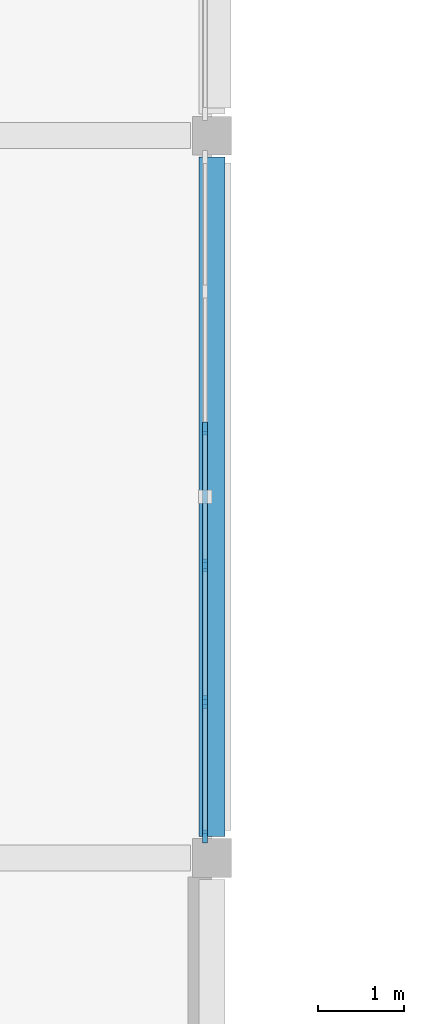
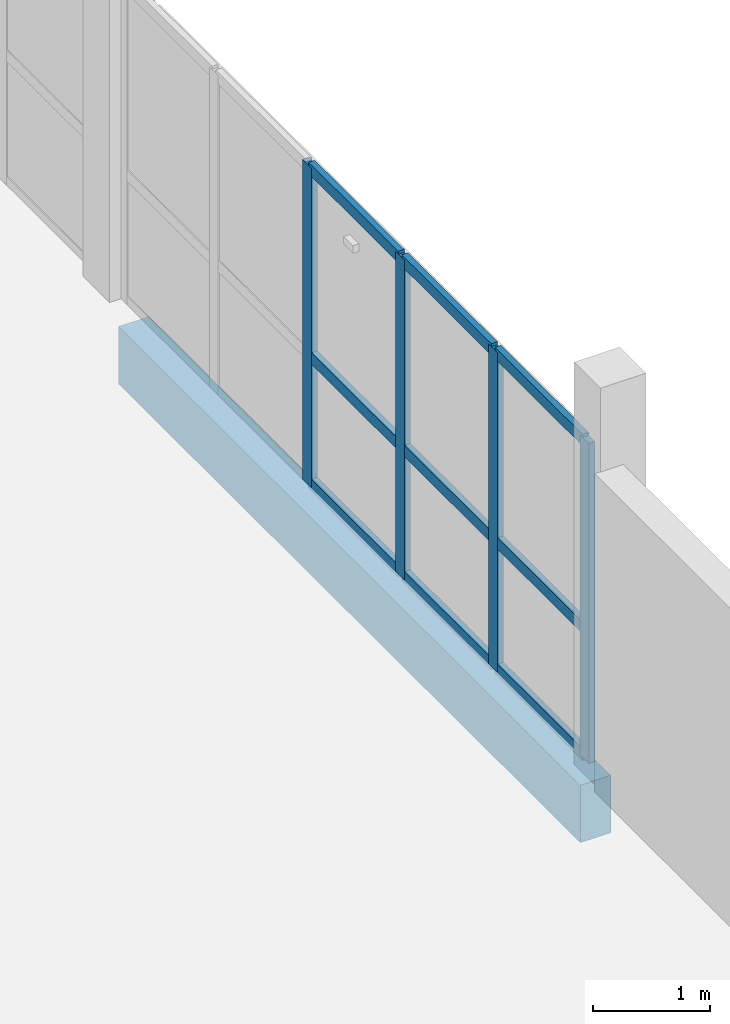
# One storey, part 6 of 74: 13 members, 1 beam, 1 element without a shape of its own.
"""IFC4 building model written with IfcOpenShell, lengths in metres."""

from ifc_helpers import new_model, si_unit, direction, frame, origin, origin_2d, place, context, subcontext, project, spatial, rectangle, extrude, material, material_profile, profile_set, type_object, element, aggregate, save


model = new_model("IFC4")

# Units and contexts
model_context = context("Model", 3, precision=1e-05, world=origin(), true_north=direction((0.0, 1.0)))
body_context = subcontext(model_context, "Body", "Model", "MODEL_VIEW")
ifc_project = project(units=[si_unit("LENGTHUNIT", "METRE"), si_unit("AREAUNIT", "SQUARE_METRE"), si_unit("VOLUMEUNIT", "CUBIC_METRE"), si_unit("PLANEANGLEUNIT", "RADIAN"), si_unit("MASSUNIT", "GRAM", prefix="KILO")], contexts=[model_context])

# Site, building, storey
site_placement = place(None, origin())
site = spatial("IfcSite", under=ifc_project, at=site_placement, CompositionType="ELEMENT")
building_placement = place(site_placement, origin())
building = spatial("IfcBuilding", under=site, at=building_placement, Name="Qaldarim Faculty of Natural and Applied Sciences", CompositionType="ELEMENT")
storey_placement = place(building_placement, frame((0.0, 0.0, 14.39990234375)))
storey = spatial("IfcBuildingStorey", under=building, at=storey_placement, Name="L03", CompositionType="ELEMENT", Elevation=14.39990234375)

# Curtain wall, members
ifc_material_1 = material(Name="Anodised aluminium AW-6063", Category="aluminium")
curtain_wall_type = type_object("IfcCurtainWallType", Name="CurtainWallSystem-M1500", PredefinedType="USERDEFINED", material=ifc_material_1)
curtain_wall_placement = place(storey_placement, origin())
curtain_wall = element("IfcCurtainWall", 1, at=curtain_wall_placement, inside=storey, type_object=curtain_wall_type, Name="Curtain wall CW-L03-E-X07Y08", ObjectType="STICK CURTAIN WALL", PredefinedType="USERDEFINED")
ifc_material_profile_1 = material_profile(ifc_material_1, rectangle(XDim=0.06005859375, YDim=0.14990234375, at=origin_2d()), Name="ALU-M60x150")
ifc_profile_set_1 = profile_set([ifc_material_profile_1], Name="Anodised aluminium AW-6063")
member_type_1 = type_object("IfcMemberType", Name="Mullion-ALU60x150", PredefinedType="MULLION", material=ifc_profile_set_1)
member_1_placement = place(storey_placement, frame((46.1201171875, 59.050048828125, 0.0), z_axis=(0.0, 0.0, 1.0), x_axis=(-1.0, 0.0, 0.0)))
member_1 = element("IfcMember", 2, at=member_1_placement, type_object=member_type_1, Name="Mullion 1 of CW-L03-E-X07Y08", PredefinedType="MULLION", context=body_context, shape_type="SweptSolid", body=[
    extrude(rectangle(XDim=0.06005859375, YDim=0.14990234375, at=origin_2d()), origin(), (0.0, 0.0, 1.0), 3.340087890625),
])
member_2_placement = place(storey_placement, frame((46.1201171875, 60.612060546875, 0.0), z_axis=(0.0, 0.0, 1.0), x_axis=(-1.0, 0.0, 0.0)))
member_2 = element("IfcMember", 3, at=member_2_placement, type_object=member_type_1, Name="Mullion 2 of CW-L03-E-X07Y08", PredefinedType="MULLION", context=body_context, shape_type="SweptSolid", body=[
    extrude(rectangle(XDim=0.06005859375, YDim=0.14990234375, at=origin_2d()), origin(), (0.0, 0.0, 1.0), 3.340087890625),
])
member_3_placement = place(storey_placement, frame((46.1201171875, 62.2041015625, 0.0), z_axis=(0.0, 0.0, 1.0), x_axis=(-1.0, 0.0, 0.0)))
member_3 = element("IfcMember", 4, at=member_3_placement, type_object=member_type_1, Name="Mullion 3 of CW-L03-E-X07Y08", PredefinedType="MULLION", context=body_context, shape_type="SweptSolid", body=[
    extrude(rectangle(XDim=0.06005859375, YDim=0.14990234375, at=origin_2d()), origin(), (0.0, 0.0, 1.0), 3.340087890625),
])
member_4_placement = place(storey_placement, frame((46.1201171875, 63.7958984375, 0.0), z_axis=(0.0, 0.0, 1.0), x_axis=(-1.0, 0.0, 0.0)))
member_4 = element("IfcMember", 5, at=member_4_placement, type_object=member_type_1, Name="Mullion 4 of CW-L03-E-X07Y08", PredefinedType="MULLION", context=body_context, shape_type="SweptSolid", body=[
    extrude(rectangle(XDim=0.06005859375, YDim=0.14990234375, at=origin_2d()), origin(), (0.0, 0.0, 1.0), 3.340087890625),
])

# Beam
ifc_material_2 = material(Name="Precast concrete C40/50", Category="concrete")
ifc_material_profile_2 = material_profile(ifc_material_2, rectangle(XDim=0.300048828125, YDim=0.60009765625, at=origin_2d()), Name="RC-SP300x600")
ifc_profile_set_2 = profile_set([ifc_material_profile_2], Name="Precast concrete C40/50")
beam_type = type_object("IfcBeamType", Name="SpandrelBeam-RC300x600", PredefinedType="SPANDREL", material=ifc_profile_set_2)
beam_placement = place(storey_placement, frame((46.199951171875, 59.050048828125, -0.559814453125), z_axis=(0.0, 1.0, 0.0), x_axis=(-1.0, 0.0, 0.0)))
element("IfcBeam", 6, at=beam_placement, inside=storey, type_object=beam_type, Name="Beam RC-SP300x600 L02 X08/Y08-Y09", PredefinedType="SPANDREL", context=body_context, shape_type="SweptSolid", body=[
    extrude(rectangle(XDim=0.300048828125, YDim=0.60009765625, at=origin_2d()), origin(), (0.0, 0.0, 1.0), 7.89990234375),
])

# Member
ifc_material_profile_3 = material_profile(ifc_material_1, rectangle(XDim=0.06005859375, YDim=0.1201171875, at=origin_2d()), Name="ALU-T60x120")
ifc_profile_set_3 = profile_set([ifc_material_profile_3], Name="Anodised aluminium AW-6063")
member_type_2 = type_object("IfcMemberType", Name="Transom-ALU60x120", PredefinedType="USERDEFINED", material=ifc_profile_set_3)
member_5_placement = place(storey_placement, frame((46.1201171875, 59.080078125, 0.030029296875), z_axis=(0.0, 1.0, 0.0), x_axis=(-1.0, 0.0, 0.0)))
member_5 = element("IfcMember", 7, at=member_5_placement, type_object=member_type_2, Name="Transom 1-1 of CW-L03-E-X07Y08", ObjectType="TRANSOM", PredefinedType="USERDEFINED", context=body_context, shape_type="SweptSolid", body=[
    extrude(rectangle(XDim=0.06005859375, YDim=0.1201171875, at=origin_2d()), origin(), (0.0, 0.0, 1.0), 1.501953125),
])

member_6_placement = place(storey_placement, frame((46.1201171875, 59.080078125, 1.35009765625), z_axis=(0.0, 1.0, 0.0), x_axis=(-1.0, 0.0, 0.0)))
member_6 = element("IfcMember", 8, at=member_6_placement, type_object=member_type_2, Name="Transom 1-2 of CW-L03-E-X07Y08", ObjectType="TRANSOM", PredefinedType="USERDEFINED", context=body_context, shape_type="SweptSolid", body=[
    extrude(rectangle(XDim=0.06005859375, YDim=0.1201171875, at=origin_2d()), origin(), (0.0, 0.0, 1.0), 1.501953125),
])

member_7_placement = place(storey_placement, frame((46.1201171875, 59.080078125, 3.31005859375), z_axis=(0.0, 1.0, 0.0), x_axis=(-1.0, 0.0, 0.0)))
member_7 = element("IfcMember", 9, at=member_7_placement, type_object=member_type_2, Name="Transom 1-3 of CW-L03-E-X07Y08", ObjectType="TRANSOM", PredefinedType="USERDEFINED", context=body_context, shape_type="SweptSolid", body=[
    extrude(rectangle(XDim=0.06005859375, YDim=0.1201171875, at=origin_2d()), origin(), (0.0, 0.0, 1.0), 1.501953125),
])

member_8_placement = place(storey_placement, frame((46.1201171875, 60.64208984375, 0.030029296875), z_axis=(0.0, 1.0, 0.0), x_axis=(-1.0, 0.0, 0.0)))
member_8 = element("IfcMember", 10, at=member_8_placement, type_object=member_type_2, Name="Transom 2-1 of CW-L03-E-X07Y08", ObjectType="TRANSOM", PredefinedType="USERDEFINED", context=body_context, shape_type="SweptSolid", body=[
    extrude(rectangle(XDim=0.06005859375, YDim=0.1201171875, at=origin_2d()), origin(), (0.0, 0.0, 1.0), 1.531982421875),
])

member_9_placement = place(storey_placement, frame((46.1201171875, 60.64208984375, 1.35009765625), z_axis=(0.0, 1.0, 0.0), x_axis=(-1.0, 0.0, 0.0)))
member_9 = element("IfcMember", 11, at=member_9_placement, type_object=member_type_2, Name="Transom 2-2 of CW-L03-E-X07Y08", ObjectType="TRANSOM", PredefinedType="USERDEFINED", context=body_context, shape_type="SweptSolid", body=[
    extrude(rectangle(XDim=0.06005859375, YDim=0.1201171875, at=origin_2d()), origin(), (0.0, 0.0, 1.0), 1.531982421875),
])

member_10_placement = place(storey_placement, frame((46.1201171875, 60.64208984375, 3.31005859375), z_axis=(0.0, 1.0, 0.0), x_axis=(-1.0, 0.0, 0.0)))
member_10 = element("IfcMember", 12, at=member_10_placement, type_object=member_type_2, Name="Transom 2-3 of CW-L03-E-X07Y08", ObjectType="TRANSOM", PredefinedType="USERDEFINED", context=body_context, shape_type="SweptSolid", body=[
    extrude(rectangle(XDim=0.06005859375, YDim=0.1201171875, at=origin_2d()), origin(), (0.0, 0.0, 1.0), 1.531982421875),
])

member_11_placement = place(storey_placement, frame((46.1201171875, 62.23388671875, 0.030029296875), z_axis=(0.0, 1.0, 0.0), x_axis=(-1.0, 0.0, 0.0)))
member_11 = element("IfcMember", 13, at=member_11_placement, type_object=member_type_2, Name="Transom 3-1 of CW-L03-E-X07Y08", ObjectType="TRANSOM", PredefinedType="USERDEFINED", context=body_context, shape_type="SweptSolid", body=[
    extrude(rectangle(XDim=0.06005859375, YDim=0.1201171875, at=origin_2d()), origin(), (0.0, 0.0, 1.0), 1.5322265625),
])

member_12_placement = place(storey_placement, frame((46.1201171875, 62.23388671875, 1.35009765625), z_axis=(0.0, 1.0, 0.0), x_axis=(-1.0, 0.0, 0.0)))
member_12 = element("IfcMember", 14, at=member_12_placement, type_object=member_type_2, Name="Transom 3-2 of CW-L03-E-X07Y08", ObjectType="TRANSOM", PredefinedType="USERDEFINED", context=body_context, shape_type="SweptSolid", body=[
    extrude(rectangle(XDim=0.06005859375, YDim=0.1201171875, at=origin_2d()), origin(), (0.0, 0.0, 1.0), 1.5322265625),
])

member_13_placement = place(storey_placement, frame((46.1201171875, 62.23388671875, 3.31005859375), z_axis=(0.0, 1.0, 0.0), x_axis=(-1.0, 0.0, 0.0)))
member_13 = element("IfcMember", 15, at=member_13_placement, type_object=member_type_2, Name="Transom 3-3 of CW-L03-E-X07Y08", ObjectType="TRANSOM", PredefinedType="USERDEFINED", context=body_context, shape_type="SweptSolid", body=[
    extrude(rectangle(XDim=0.06005859375, YDim=0.1201171875, at=origin_2d()), origin(), (0.0, 0.0, 1.0), 1.5322265625),
])

aggregate(curtain_wall, [member_1, member_2, member_3, member_4, member_5, member_6, member_7, member_8, member_9, member_10, member_11, member_12, member_13])

save(model, "model.ifc")
